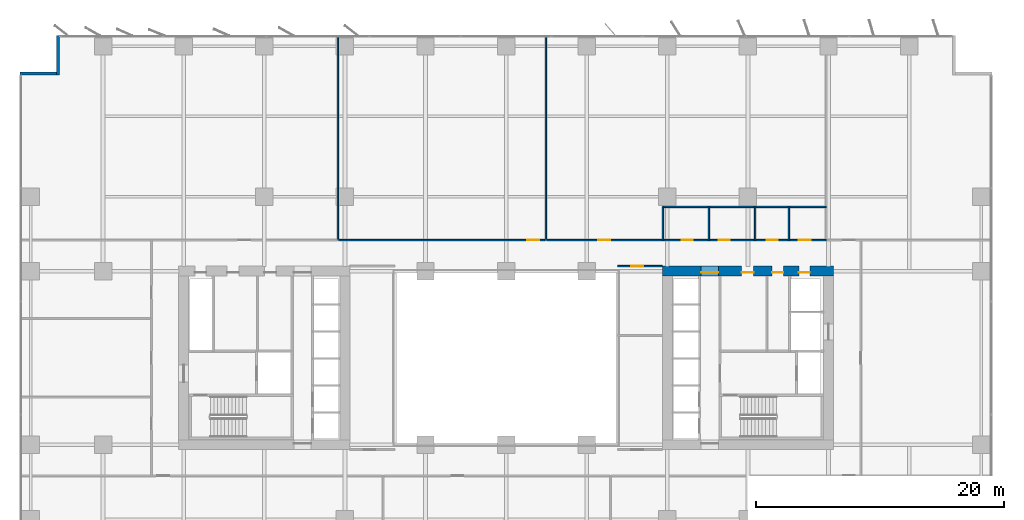
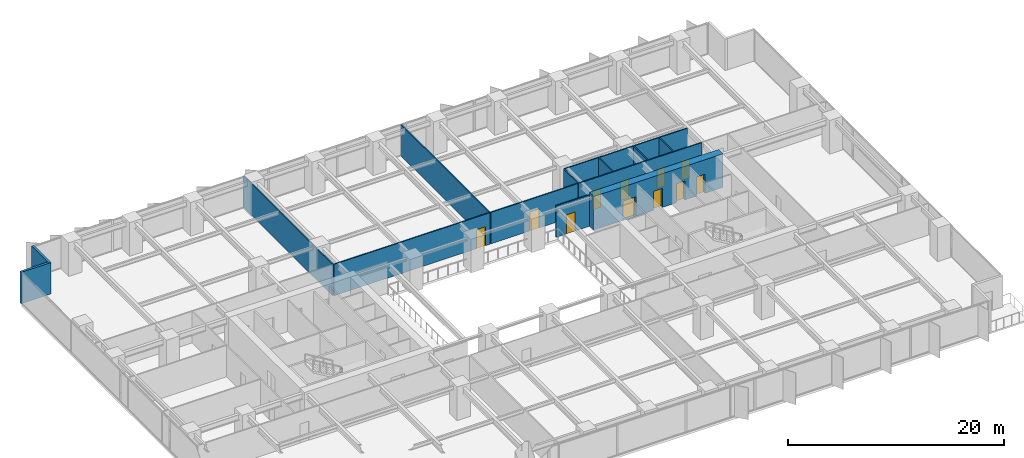
# One storey, part 15 of 20: 14 walls, 11 doors, 11 openings.
"""IFC4 building model written with IfcOpenShell, lengths in metres."""

from ifc_helpers import new_model, si_unit, direction, frame, frame_2d, origin, place, context, subcontext, project, spatial, rectangle, extrude, material, layer, layer_set, type_object, element, fill, save


model = new_model("IFC4")

# Units and contexts
model_context = context("Model", 3, precision=1e-05, world=origin(), true_north=direction((0.0, 1.0)))
body_context = subcontext(model_context, "Body", "Model", "MODEL_VIEW")
ifc_project = project(units=[si_unit("LENGTHUNIT", "METRE"), si_unit("AREAUNIT", "SQUARE_METRE"), si_unit("VOLUMEUNIT", "CUBIC_METRE"), si_unit("PLANEANGLEUNIT", "RADIAN"), si_unit("MASSUNIT", "GRAM", prefix="KILO")], contexts=[model_context])

# Site, building, storey
site_placement = place(None, origin())
site = spatial("IfcSite", under=ifc_project, at=site_placement, CompositionType="ELEMENT")
building_placement = place(site_placement, origin())
building = spatial("IfcBuilding", under=site, at=building_placement, Name="Putna Gate Headquarters", CompositionType="ELEMENT")
storey_placement = place(building_placement, frame((0.0, 0.0, 54.39990234375)))
storey = spatial("IfcBuildingStorey", under=building, at=storey_placement, Name="L12", CompositionType="ELEMENT", Elevation=54.39990234375)

# Wall, openings, doors
ifc_material_1 = material(Name="Concrete C60/75", Category="concrete")
ifc_layer_1 = layer(ifc_material_1, 0.800048828125)
ifc_layer_set_1 = layer_set([ifc_layer_1], Name="Concrete C60/75")
wall_type_1 = type_object("IfcWallType", Name="WALL-CORE-800", PredefinedType="SHEAR", material=ifc_layer_set_1)
wall_1_placement = place(storey_placement, frame((51.60009765625, 33.0, 0.0), z_axis=(0.0, 0.0, 1.0), x_axis=(1.0, 0.0, 0.0)))
wall_1 = element("IfcWall", 1, at=wall_1_placement, inside=storey, type_object=wall_type_1, Name="L12 EC Split Core Shear Wall N", PredefinedType="SHEAR", context=body_context, shape_type="SweptSolid", body=[
    extrude(rectangle(XDim=13.7998046875, YDim=0.800048828125, at=frame_2d((6.89990234375, 0.0))), origin(), (0.0, 0.0, 1.0), 3.800048828125),
])
opening_1_placement = place(wall_1_placement, frame((3.1201171875, 0.0, 0.0)))
opening_1 = element("IfcOpeningElement", 2, at=opening_1_placement, cuts=wall_1, Name="Opening FDD-140", PredefinedType="OPENING", context=body_context, shape_type="SweptSolid", body=[
    extrude(rectangle(XDim=1.39990234375, YDim=2.199951171875, at=frame_2d((0.699951171875, 1.10009765625))), frame((0.0, 0.409912109375, 0.0), z_axis=(0.0, -1.0, 0.0), x_axis=(1.0, 0.0, 0.0)), (0.0, 0.0, 1.0), 0.820068359375),
])
opening_2_placement = place(wall_1_placement, frame((11.0, 0.0, 0.0)))
opening_2 = element("IfcOpeningElement", 3, at=opening_2_placement, cuts=wall_1, Name="Opening RD-90", PredefinedType="OPENING", context=body_context, shape_type="SweptSolid", body=[
    extrude(rectangle(XDim=0.89990234375, YDim=2.14990234375, at=frame_2d((0.449951171875, 1.074951171875))), frame((0.0, 0.409912109375, 0.0), z_axis=(0.0, -1.0, 0.0), x_axis=(1.0, 0.0, 0.0)), (0.0, 0.0, 1.0), 0.820068359375),
])
opening_3_placement = place(wall_1_placement, frame((6.39990234375, 0.0, 0.0)))
opening_3 = element("IfcOpeningElement", 4, at=opening_3_placement, cuts=wall_1, Name="Opening IDS-95", PredefinedType="OPENING", context=body_context, shape_type="SweptSolid", body=[
    extrude(rectangle(XDim=0.949951171875, YDim=2.14990234375, at=frame_2d((0.47509765625, 1.074951171875))), frame((0.0, 0.409912109375, 0.0), z_axis=(0.0, -1.0, 0.0), x_axis=(1.0, 0.0, 0.0)), (0.0, 0.0, 1.0), 0.820068359375),
])
opening_4_placement = place(wall_1_placement, frame((8.85009765625, 0.0, 0.0)))
opening_4 = element("IfcOpeningElement", 5, at=opening_4_placement, cuts=wall_1, Name="Opening IDS-90", PredefinedType="OPENING", context=body_context, shape_type="SweptSolid", body=[
    extrude(rectangle(XDim=0.89990234375, YDim=2.14990234375, at=frame_2d((0.449951171875, 1.074951171875))), frame((0.0, 0.409912109375, 0.0), z_axis=(0.0, -1.0, 0.0), x_axis=(1.0, 0.0, 0.0)), (0.0, 0.0, 1.0), 0.820068359375),
])
ifc_material_2 = material(Name="Double steel fire door", Category="steel")
door_type_1 = type_object("IfcDoorType", Name="DOOR-FIRE-DBL-1400", OperationType="DOUBLE_DOOR_SINGLE_SWING", PredefinedType="DOOR", material=ifc_material_2)
door_1_placement = place(opening_1_placement, origin())
door_1 = element("IfcDoor", 6, at=door_1_placement, inside=storey, type_object=door_type_1, Name="L12 East Lift Lobby North Door", OperationType="DOUBLE_DOOR_SINGLE_SWING", OverallHeight=2.199951171875, OverallWidth=1.39990234375, PredefinedType="DOOR", context=body_context, shape_type="SweptSolid", body=[
    extrude(rectangle(XDim=1.39990234375, YDim=2.199951171875, at=frame_2d((0.699951171875, 1.10009765625))), frame((0.0, -0.0751953125, 0.0), z_axis=(0.0, -1.0, 0.0), x_axis=(1.0, 0.0, 0.0)), (0.0, 0.0, 1.0), 0.050048828125),
])
fill(opening_1, door_1)
ifc_material_3 = material(Name="Fire-rated utility door")
door_type_2 = type_object("IfcDoorType", Name="DOOR-INT-900", OperationType="NOTDEFINED", PredefinedType="DOOR", material=ifc_material_3)
door_2_placement = place(opening_4_placement, origin())
door_2 = element("IfcDoor", 7, at=door_2_placement, inside=storey, type_object=door_type_2, Name="L12 Electrical Plant Door", OperationType="SINGLE_SWING_LEFT", OverallHeight=2.14990234375, OverallWidth=0.89990234375, PredefinedType="DOOR", context=body_context, shape_type="SweptSolid", body=[
    extrude(rectangle(XDim=0.89990234375, YDim=2.14990234375, at=frame_2d((0.449951171875, 1.074951171875))), frame((0.0, -0.0751953125, 0.0), z_axis=(0.0, -1.0, 0.0), x_axis=(1.0, 0.0, 0.0)), (0.0, 0.0, 1.0), 0.050048828125),
])
fill(opening_4, door_2)
ifc_material_4 = material(Name="Fire-rated service timber door", Category="wood")
door_type_3 = type_object("IfcDoorType", Name="DOOR-INT-950", OperationType="NOTDEFINED", PredefinedType="DOOR", material=ifc_material_4)
door_3_placement = place(opening_3_placement, origin())
door_3 = element("IfcDoor", 8, at=door_3_placement, inside=storey, type_object=door_type_3, Name="L12 East Store Door", OperationType="SINGLE_SWING_RIGHT", OverallHeight=2.14990234375, OverallWidth=0.949951171875, PredefinedType="DOOR", context=body_context, shape_type="SweptSolid", body=[
    extrude(rectangle(XDim=0.949951171875, YDim=2.14990234375, at=frame_2d((0.47509765625, 1.074951171875))), frame((0.0, -0.0751953125, 0.0), z_axis=(0.0, -1.0, 0.0), x_axis=(1.0, 0.0, 0.0)), (0.0, 0.0, 1.0), 0.050048828125),
])
fill(opening_3, door_3)
ifc_material_5 = material(Name="Steel riser access fire door", Category="steel")
door_type_4 = type_object("IfcDoorType", Name="DOOR-RISER-900", OperationType="NOTDEFINED", PredefinedType="DOOR", material=ifc_material_5)
door_4_placement = place(opening_2_placement, origin())
door_4 = element("IfcDoor", 9, at=door_4_placement, inside=storey, type_object=door_type_4, Name="L12 East Riser Access Door", OperationType="SINGLE_SWING_LEFT", OverallHeight=2.14990234375, OverallWidth=0.89990234375, PredefinedType="DOOR", context=body_context, shape_type="SweptSolid", body=[
    extrude(rectangle(XDim=0.89990234375, YDim=2.14990234375, at=frame_2d((0.449951171875, 1.074951171875))), frame((0.0, -0.0751953125, 0.0), z_axis=(0.0, -1.0, 0.0), x_axis=(1.0, 0.0, 0.0)), (0.0, 0.0, 1.0), 0.050048828125),
])
fill(opening_2, door_4)

# Walls
ifc_material_6 = material(Name="Precast concrete C40/50", Category="concrete")
ifc_layer_2 = layer(ifc_material_6, 0.239990234375)
ifc_layer_set_2 = layer_set([ifc_layer_2], Name="Precast concrete C40/50")
wall_type_2 = type_object("IfcWallType", Name="WALL-EXT-TERR-240", PredefinedType="STANDARD", material=ifc_layer_set_2)
for number, where, z_axis, x_axis, name in (
    (10, (2.8798828125, 48.800048828125, 0.0), (0.0, 0.0, 1.0), (0.0, 1.0, 0.0), "L12 Corner Notch Return Wall NW-V"),
    (11, (-0.199951171875, 48.919921875, 0.0), (0.0, 0.0, 1.0), (1.0, 0.0, 0.0), "L12 Corner Notch Return Wall NW-H"),
):
    element("IfcWall", number, at=place(storey_placement, frame(where, z_axis=z_axis, x_axis=x_axis)), inside=storey, type_object=wall_type_2, Name=name, PredefinedType="STANDARD", context=body_context, shape_type="SweptSolid", body=[
        extrude(rectangle(XDim=3.199951171875, YDim=0.239990234375, at=frame_2d((1.60009765625, 0.0))), origin(), (0.0, 0.0, 1.0), 3.550048828125),
    ])

# Wall, opening, door
ifc_material_7 = material(Name="Acoustic gypsum board on metal stud")
ifc_layer_3 = layer(ifc_material_7, 0.1201171875)
ifc_layer_set_3 = layer_set([ifc_layer_3], Name="Acoustic gypsum board on metal stud")
wall_type_3 = type_object("IfcWallType", Name="WALL-PART-120", PredefinedType="PARTITIONING", material=ifc_layer_set_3)
wall_2_placement = place(storey_placement, frame((48.0, 33.39990234375, 0.0), z_axis=(0.0, 0.0, 1.0), x_axis=(1.0, 0.0, 0.0)))
wall_2 = element("IfcWall", 12, at=wall_2_placement, inside=storey, type_object=wall_type_3, Name="L12 Interior Wall PART-L12-ATR-E-N", PredefinedType="PARTITIONING", context=body_context, shape_type="SweptSolid", body=[
    extrude(rectangle(XDim=3.60009765625, YDim=0.1201171875, at=frame_2d((1.800048828125, 0.0))), origin(), (0.0, 0.0, 1.0), 3.550048828125),
])
opening_5_placement = place(wall_2_placement, frame((1.10009765625, 0.0, 0.0)))
opening_5 = element("IfcOpeningElement", 13, at=opening_5_placement, cuts=wall_2, Name="Opening ID-95", PredefinedType="OPENING", context=body_context, shape_type="SweptSolid", body=[
    extrude(rectangle(XDim=0.949951171875, YDim=2.14990234375, at=frame_2d((0.47509765625, 1.074951171875))), frame((0.0, 0.070068359375, 0.0), z_axis=(0.0, -1.0, 0.0), x_axis=(1.0, 0.0, 0.0)), (0.0, 0.0, 1.0), 0.14013671875),
])
ifc_material_8 = material(Name="Veneered acoustic timber door", Category="wood")
door_type_5 = type_object("IfcDoorType", Name="DOOR-OFF-950", OperationType="NOTDEFINED", PredefinedType="DOOR", material=ifc_material_8)
door_5_placement = place(opening_5_placement, origin())
door_5 = element("IfcDoor", 14, at=door_5_placement, inside=storey, type_object=door_type_5, Name="L12 East Atrium North Gallery Door", OperationType="SINGLE_SWING_LEFT", OverallHeight=2.14990234375, OverallWidth=0.949951171875, PredefinedType="DOOR", context=body_context, shape_type="SweptSolid", body=[
    extrude(rectangle(XDim=0.949951171875, YDim=2.14990234375, at=frame_2d((0.47509765625, 1.074951171875))), frame((0.0, 0.02490234375, 0.0), z_axis=(0.0, -1.0, 0.0), x_axis=(1.0, 0.0, 0.0)), (0.0, 0.0, 1.0), 0.050048828125),
])
fill(opening_5, door_5)

# Walls
for number, where, z_axis, x_axis, name in (
    (15, (25.436279296875, 35.56005859375, 0.0), (0.0, 0.0, 1.0), (0.0, 1.0, 0.0), "L12 Interior Wall PART-L12-NB-DIV-01"),
    (16, (42.199951171875, 35.56005859375, 0.0), (0.0, 0.0, 1.0), (0.0, 1.0, 0.0), "L12 Interior Wall PART-L12-NB-DIV-02"),
):
    element("IfcWall", number, at=place(storey_placement, frame(where, z_axis=z_axis, x_axis=x_axis)), inside=storey, type_object=wall_type_3, Name=name, PredefinedType="PARTITIONING", context=body_context, shape_type="SweptSolid", body=[
        extrude(rectangle(XDim=16.419921875, YDim=0.1201171875, at=frame_2d((8.2099609375, 0.0))), origin(), (0.0, 0.0, 1.0), 3.550048828125),
    ])

# Wall, openings, doors
ifc_material_9 = material(Name="Fire-rated gypsum board on metal stud")
ifc_layer_4 = layer(ifc_material_9, 0.1201171875)
ifc_layer_set_4 = layer_set([ifc_layer_4], Name="Fire-rated gypsum board on metal stud")
wall_type_4 = type_object("IfcWallType", Name="WALL-PART-120-RATED", PredefinedType="PARTITIONING", material=ifc_layer_set_4)
wall_3_placement = place(storey_placement, frame((51.639892578125, 35.5, 0.0), z_axis=(0.0, 0.0, 1.0), x_axis=(1.0, 0.0, 0.0)))
wall_3 = element("IfcWall", 17, at=wall_3_placement, inside=storey, type_object=wall_type_4, Name="L12 Interior Wall PART-L12-SAN-CW", PredefinedType="PARTITIONING", context=body_context, shape_type="SweptSolid", body=[
    extrude(rectangle(XDim=13.16015625, YDim=0.1201171875, at=frame_2d((6.580078125, 0.0))), origin(), (0.0, 0.0, 1.0), 3.550048828125),
])
opening_6_placement = place(wall_3_placement, frame((1.510009765625, 0.0, 0.0)))
opening_6 = element("IfcOpeningElement", 18, at=opening_6_placement, cuts=wall_3, Name="Opening FD-90", PredefinedType="OPENING", context=body_context, shape_type="SweptSolid", body=[
    extrude(rectangle(XDim=0.89990234375, YDim=2.14990234375, at=frame_2d((0.449951171875, 1.074951171875))), frame((0.0, 0.070068359375, 0.0), z_axis=(0.0, -1.0, 0.0), x_axis=(1.0, 0.0, 0.0)), (0.0, 0.0, 1.0), 0.14013671875),
])
opening_7_placement = place(wall_3_placement, frame((4.510009765625, 0.0, 0.0)))
opening_7 = element("IfcOpeningElement", 19, at=opening_7_placement, cuts=wall_3, Name="Opening FD-90", PredefinedType="OPENING", context=body_context, shape_type="SweptSolid", body=[
    extrude(rectangle(XDim=0.89990234375, YDim=2.14990234375, at=frame_2d((0.449951171875, 1.074951171875))), frame((0.0, 0.070068359375, 0.0), z_axis=(0.0, -1.0, 0.0), x_axis=(1.0, 0.0, 0.0)), (0.0, 0.0, 1.0), 0.14013671875),
])
opening_8_placement = place(wall_3_placement, frame((8.360107421875, 0.0, 0.0)))
opening_8 = element("IfcOpeningElement", 20, at=opening_8_placement, cuts=wall_3, Name="Opening FD-90", PredefinedType="OPENING", context=body_context, shape_type="SweptSolid", body=[
    extrude(rectangle(XDim=0.89990234375, YDim=2.14990234375, at=frame_2d((0.449951171875, 1.074951171875))), frame((0.0, 0.070068359375, 0.0), z_axis=(0.0, -1.0, 0.0), x_axis=(1.0, 0.0, 0.0)), (0.0, 0.0, 1.0), 0.14013671875),
])
opening_9_placement = place(wall_3_placement, frame((10.9599609375, 0.0, 0.0)))
opening_9 = element("IfcOpeningElement", 21, at=opening_9_placement, cuts=wall_3, Name="Opening FD-95", PredefinedType="OPENING", context=body_context, shape_type="SweptSolid", body=[
    extrude(rectangle(XDim=0.949951171875, YDim=2.14990234375, at=frame_2d((0.47509765625, 1.074951171875))), frame((0.0, 0.070068359375, 0.0), z_axis=(0.0, -1.0, 0.0), x_axis=(1.0, 0.0, 0.0)), (0.0, 0.0, 1.0), 0.14013671875),
])
ifc_material_10 = material(Name="Acoustic washroom fire door")
door_type_6 = type_object("IfcDoorType", Name="DOOR-FIRE-900", OperationType="NOTDEFINED", PredefinedType="DOOR", material=ifc_material_10)
door_6_placement = place(opening_6_placement, origin())
door_6 = element("IfcDoor", 22, at=door_6_placement, inside=storey, type_object=door_type_6, Name="L12 Washroom Male Door", OperationType="SINGLE_SWING_RIGHT", OverallHeight=2.14990234375, OverallWidth=0.89990234375, PredefinedType="DOOR", context=body_context, shape_type="SweptSolid", body=[
    extrude(rectangle(XDim=0.89990234375, YDim=2.14990234375, at=frame_2d((0.449951171875, 1.074951171875))), frame((0.0, 0.02490234375, 0.0), z_axis=(0.0, -1.0, 0.0), x_axis=(1.0, 0.0, 0.0)), (0.0, 0.0, 1.0), 0.050048828125),
])
fill(opening_6, door_6)
door_7_placement = place(opening_7_placement, origin())
door_7 = element("IfcDoor", 23, at=door_7_placement, inside=storey, type_object=door_type_6, Name="L12 Washroom Female Door", OperationType="SINGLE_SWING_LEFT", OverallHeight=2.14990234375, OverallWidth=0.89990234375, PredefinedType="DOOR", context=body_context, shape_type="SweptSolid", body=[
    extrude(rectangle(XDim=0.89990234375, YDim=2.14990234375, at=frame_2d((0.449951171875, 1.074951171875))), frame((0.0, 0.02490234375, 0.0), z_axis=(0.0, -1.0, 0.0), x_axis=(1.0, 0.0, 0.0)), (0.0, 0.0, 1.0), 0.050048828125),
])
fill(opening_7, door_7)
door_8_placement = place(opening_8_placement, origin())
door_8 = element("IfcDoor", 24, at=door_8_placement, inside=storey, type_object=door_type_6, Name="L12 Accessible WC Door", OperationType="SINGLE_SWING_RIGHT", OverallHeight=2.14990234375, OverallWidth=0.89990234375, PredefinedType="DOOR", context=body_context, shape_type="SweptSolid", body=[
    extrude(rectangle(XDim=0.89990234375, YDim=2.14990234375, at=frame_2d((0.449951171875, 1.074951171875))), frame((0.0, 0.02490234375, 0.0), z_axis=(0.0, -1.0, 0.0), x_axis=(1.0, 0.0, 0.0)), (0.0, 0.0, 1.0), 0.050048828125),
])
fill(opening_8, door_8)
ifc_material_11 = material(Name="Acoustic timber fire door", Category="wood")
door_type_7 = type_object("IfcDoorType", Name="DOOR-FIRE-950", OperationType="NOTDEFINED", PredefinedType="DOOR", material=ifc_material_11)
door_9_placement = place(opening_9_placement, origin())
door_9 = element("IfcDoor", 25, at=door_9_placement, inside=storey, type_object=door_type_7, Name="L12 Staff Pantry and Tea Point Door", OperationType="SINGLE_SWING_LEFT", OverallHeight=2.14990234375, OverallWidth=0.949951171875, PredefinedType="DOOR", context=body_context, shape_type="SweptSolid", body=[
    extrude(rectangle(XDim=0.949951171875, YDim=2.14990234375, at=frame_2d((0.47509765625, 1.074951171875))), frame((0.0, 0.02490234375, 0.0), z_axis=(0.0, -1.0, 0.0), x_axis=(1.0, 0.0, 0.0)), (0.0, 0.0, 1.0), 0.050048828125),
])
fill(opening_9, door_9)

# Walls
wall_4_placement = place(storey_placement, frame((51.639892578125, 38.179931640625, 0.0), z_axis=(0.0, 0.0, 1.0), x_axis=(1.0, 0.0, 0.0)))
element("IfcWall", 26, at=wall_4_placement, inside=storey, type_object=wall_type_4, Name="L12 Interior Wall PART-L12-SAN-BACK", PredefinedType="PARTITIONING", context=body_context, shape_type="SweptSolid", body=[
    extrude(rectangle(XDim=13.16015625, YDim=0.1201171875, at=frame_2d((6.580078125, 0.0))), origin(), (0.0, 0.0, 1.0), 3.550048828125),
])
for number, where, z_axis, x_axis, name in (
    (27, (51.639892578125, 35.5, 0.0), (0.0, 0.0, 1.0), (0.0, 1.0, 0.0), "L12 Interior Wall PART-L12-SAN-DIV-1"),
    (28, (55.360107421875, 35.5, 0.0), (0.0, 0.0, 1.0), (0.0, 1.0, 0.0), "L12 Interior Wall PART-L12-SAN-DIV-2"),
    (29, (59.080078125, 35.5, 0.0), (0.0, 0.0, 1.0), (0.0, 1.0, 0.0), "L12 Interior Wall PART-L12-SAN-DIV-3"),
    (30, (61.800048828125, 35.5, 0.0), (0.0, 0.0, 1.0), (0.0, 1.0, 0.0), "L12 Interior Wall PART-L12-SAN-DIV-4"),
):
    element("IfcWall", number, at=place(storey_placement, frame(where, z_axis=z_axis, x_axis=x_axis)), inside=storey, type_object=wall_type_4, Name=name, PredefinedType="PARTITIONING", context=body_context, shape_type="SweptSolid", body=[
        extrude(rectangle(XDim=2.679931640625, YDim=0.1201171875, at=frame_2d((1.33984375, 0.0))), origin(), (0.0, 0.0, 1.0), 3.550048828125),
    ])

# Wall, opening, door
wall_5_placement = place(storey_placement, frame((25.49609375, 35.5, 0.0), z_axis=(0.0, 0.0, 1.0), x_axis=(1.0, 0.0, 0.0)))
wall_5 = element("IfcWall", 31, at=wall_5_placement, inside=storey, type_object=wall_type_4, Name="L12 Interior Wall PART-L12-NB-CW-02", PredefinedType="PARTITIONING", context=body_context, shape_type="SweptSolid", body=[
    extrude(rectangle(XDim=16.643798828125, YDim=0.1201171875, at=frame_2d((8.32177734375, 0.0))), origin(), (0.0, 0.0, 1.0), 3.550048828125),
])
opening_10_placement = place(wall_5_placement, frame((15.2138671875, 0.0, 0.0)))
opening_10 = element("IfcOpeningElement", 32, at=opening_10_placement, cuts=wall_5, Name="Opening FD-95", PredefinedType="OPENING", context=body_context, shape_type="SweptSolid", body=[
    extrude(rectangle(XDim=0.949951171875, YDim=2.14990234375, at=frame_2d((0.47509765625, 1.074951171875))), frame((0.0, 0.070068359375, 0.0), z_axis=(0.0, -1.0, 0.0), x_axis=(1.0, 0.0, 0.0)), (0.0, 0.0, 1.0), 0.14013671875),
])
door_10_placement = place(opening_10_placement, origin())
door_10 = element("IfcDoor", 33, at=door_10_placement, inside=storey, type_object=door_type_7, Name="L12 Collaborative Breakout Lounge 1 Door", OperationType="SINGLE_SWING_LEFT", OverallHeight=2.14990234375, OverallWidth=0.949951171875, PredefinedType="DOOR", context=body_context, shape_type="SweptSolid", body=[
    extrude(rectangle(XDim=0.949951171875, YDim=2.14990234375, at=frame_2d((0.47509765625, 1.074951171875))), frame((0.0, 0.02490234375, 0.0), z_axis=(0.0, -1.0, 0.0), x_axis=(1.0, 0.0, 0.0)), (0.0, 0.0, 1.0), 0.050048828125),
])
fill(opening_10, door_10)

wall_6_placement = place(storey_placement, frame((42.260009765625, 35.5, 0.0), z_axis=(0.0, 0.0, 1.0), x_axis=(1.0, 0.0, 0.0)))
wall_6 = element("IfcWall", 34, at=wall_6_placement, inside=storey, type_object=wall_type_4, Name="L12 Interior Wall PART-L12-NB-CW-03", PredefinedType="PARTITIONING", context=body_context, shape_type="SweptSolid", body=[
    extrude(rectangle(XDim=9.320068359375, YDim=0.1201171875, at=frame_2d((4.66015625, 0.0))), origin(), (0.0, 0.0, 1.0), 3.550048828125),
])
opening_11_placement = place(wall_6_placement, frame((4.18505859375, 0.0, 0.0)))
opening_11 = element("IfcOpeningElement", 35, at=opening_11_placement, cuts=wall_6, Name="Opening FD-95", PredefinedType="OPENING", context=body_context, shape_type="SweptSolid", body=[
    extrude(rectangle(XDim=0.949951171875, YDim=2.14990234375, at=frame_2d((0.47509765625, 1.074951171875))), frame((0.0, 0.070068359375, 0.0), z_axis=(0.0, -1.0, 0.0), x_axis=(1.0, 0.0, 0.0)), (0.0, 0.0, 1.0), 0.14013671875),
])
door_11_placement = place(opening_11_placement, origin())
door_11 = element("IfcDoor", 36, at=door_11_placement, inside=storey, type_object=door_type_7, Name="L12 Primary Open Office Workplace Door", OperationType="SINGLE_SWING_RIGHT", OverallHeight=2.14990234375, OverallWidth=0.949951171875, PredefinedType="DOOR", context=body_context, shape_type="SweptSolid", body=[
    extrude(rectangle(XDim=0.949951171875, YDim=2.14990234375, at=frame_2d((0.47509765625, 1.074951171875))), frame((0.0, 0.02490234375, 0.0), z_axis=(0.0, -1.0, 0.0), x_axis=(1.0, 0.0, 0.0)), (0.0, 0.0, 1.0), 0.050048828125),
])
fill(opening_11, door_11)

save(model, "model.ifc")
